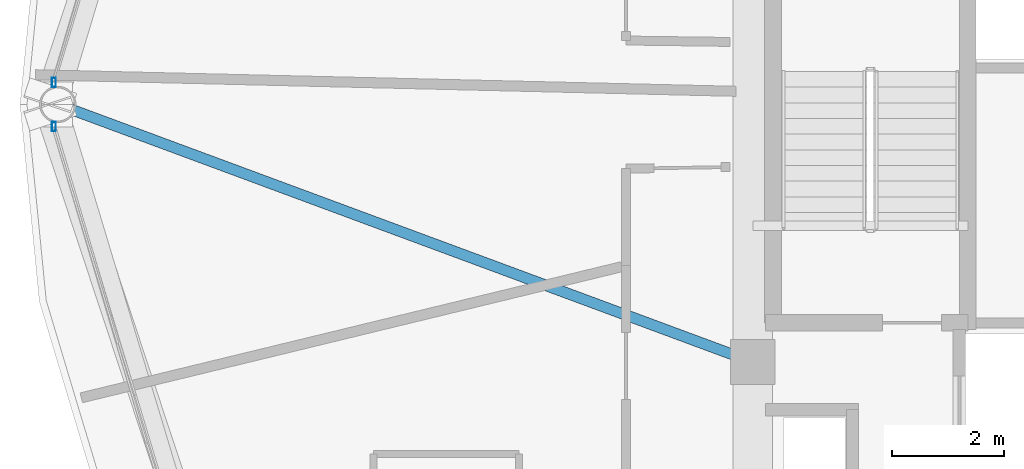
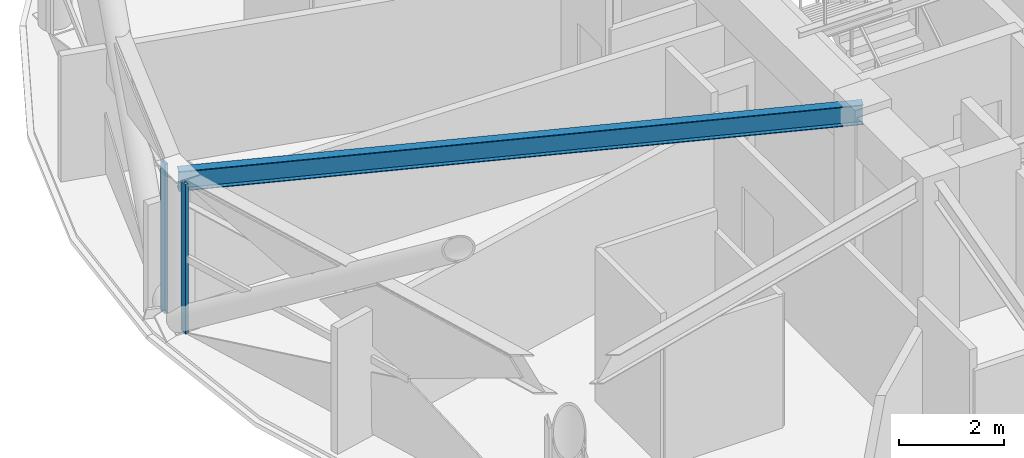
# One storey, part 7 of 29: 2 members, 1 beam, 2 elements without a shape of their own.
"""IFC4 building model written with IfcOpenShell, lengths in metres."""

import ifcopenshell
import ifcopenshell.guid

model = None  # the IFC model being written
_history = None  # IfcOwnerHistory: only IFC2X3 demands one
_inside = {}  # id of a spatial element -> (the spatial element, [elements in it])
_under = {}  # id of a project, library or spatial element -> (it, [spatial elements below it])
_declared = {}  # id of a project -> (the project, [libraries it declares])
_typed = {}  # id of a type object -> (the type object, [elements of that type])
_made_of = {}  # id of a material, layer set ... -> (it, [elements and type objects made of it])


def new_model(schema):
    """Start an empty IFC model of exactly this schema.

    Asked for "IFC4X3", IfcOpenShell would pick the latest addendum, in which some entities
    have other attributes; the version numbers below select the first issue.
    IFC2X3 requires an IfcOwnerHistory on every rooted entity: one is made here for all.
    """
    global model, _history
    if schema == "IFC4X3":
        model = ifcopenshell.file(schema_version=(4, 3, 0, 0))
    else:
        model = ifcopenshell.file(schema=schema)
    _inside.clear()
    _under.clear()
    _declared.clear()
    _typed.clear()
    _made_of.clear()
    _history = None
    if model.schema == "IFC2X3":
        org = make("IfcOrganization", Name="unknown")
        user = make(
            "IfcPersonAndOrganization",
            ThePerson=make("IfcPerson", FamilyName="unknown"),
            TheOrganization=org,
        )
        app = make(
            "IfcApplication",
            ApplicationDeveloper=org,
            Version="unknown",
            ApplicationFullName="unknown",
            ApplicationIdentifier="unknown",
        )
        _history = make(
            "IfcOwnerHistory",
            OwningUser=user,
            OwningApplication=app,
            ChangeAction="ADDED",
            CreationDate=0,
        )
    return model


def make(cls, **values):
    """One entity of the class cls with the attributes given. An attribute that is None is left unset."""
    return model.create_entity(
        cls, **{name: value for name, value in values.items() if value is not None}
    )


def rooted(cls, **values):
    """An entity with a GlobalId (a new one), such as an element, a storey or a relation."""
    return make(cls, GlobalId=ifcopenshell.guid.new(), OwnerHistory=_history, **values)


def si_unit(unit_type, name, prefix=None):
    """IfcSIUnit, for example si_unit("LENGTHUNIT", "METRE", prefix="MILLI")."""
    return make("IfcSIUnit", UnitType=unit_type, Prefix=prefix, Name=name)


def assignment(units):
    """IfcUnitAssignment: the units of a project."""
    return None if units is None else make("IfcUnitAssignment", Units=units)


def point(xyz):
    """IfcCartesianPoint."""
    return None if xyz is None else make("IfcCartesianPoint", Coordinates=xyz)


def direction(xyz):
    """IfcDirection."""
    return None if xyz is None else make("IfcDirection", DirectionRatios=xyz)


def frame(location, z_axis=None, x_axis=None):
    """IfcAxis2Placement3D, a coordinate frame: its origin and axes. An axis left out is left unset."""
    return make(
        "IfcAxis2Placement3D",
        Location=point(location),
        Axis=direction(z_axis),
        RefDirection=direction(x_axis),
    )


def frame_2d(location, x_axis=None):
    """IfcAxis2Placement2D, a coordinate frame in the plane: its origin and x axis."""
    return make(
        "IfcAxis2Placement2D", Location=point(location), RefDirection=direction(x_axis)
    )


def origin():
    """The frame at (0, 0, 0) with its axes left unset."""
    return frame((0.0, 0.0, 0.0))


def origin_2d():
    """The frame at (0, 0) in the plane with its x axis left unset."""
    return frame_2d((0.0, 0.0))


def place(relative_to, where):
    """IfcLocalPlacement: puts the frame where relative to a parent placement (None: the world)."""
    return make(
        "IfcLocalPlacement", PlacementRelTo=relative_to, RelativePlacement=where
    )


def context(
    kind, dimensions, precision=None, world=None, true_north=None, identifier=None
):
    """IfcGeometricRepresentationContext, for example the 3D "Model" context."""
    return make(
        "IfcGeometricRepresentationContext",
        ContextIdentifier=identifier,
        ContextType=kind,
        CoordinateSpaceDimension=dimensions,
        Precision=precision,
        WorldCoordinateSystem=world,
        TrueNorth=true_north,
    )


def subcontext(parent, identifier, kind, view, scale=None):
    """IfcGeometricRepresentationSubContext, for example "Body" below "Model"."""
    return make(
        "IfcGeometricRepresentationSubContext",
        ContextIdentifier=identifier,
        ContextType=kind,
        ParentContext=parent,
        TargetScale=scale,
        TargetView=view,
    )


def project(units=None, contexts=None):
    """IfcProject with its units and contexts."""
    return rooted(
        "IfcProject",
        Name="project",
        RepresentationContexts=contexts,
        UnitsInContext=assignment(units),
    )


def spatial(cls, under=None, at=None, **own):
    """A site, building, storey or space (cls), placed at a placement, below another one or the project."""
    s = rooted(cls, ObjectPlacement=at, **own)
    if under is not None:
        _under.setdefault(under.id(), (under, []))[1].append(s)
    return s


def profile(cls, at=None, kind="AREA", **sizes):
    """A parametric profile (cls). Its sizes go by their IFC names, for example OverallWidth=200.0."""
    return make(cls, ProfileType=kind, Position=at, **sizes)


def hollow_rectangle(**sizes):
    """IfcRectangleHollowProfileDef."""
    return profile("IfcRectangleHollowProfileDef", **sizes)


def i_section(**sizes):
    """IfcIShapeProfileDef."""
    return profile("IfcIShapeProfileDef", **sizes)


def extrude(swept, where, along, depth):
    """IfcExtrudedAreaSolid: the profile swept, set in the frame where, extruded along a direction by depth."""
    return make(
        "IfcExtrudedAreaSolid",
        SweptArea=swept,
        Position=where,
        ExtrudedDirection=direction(along),
        Depth=depth,
    )


def shape(context_of_items, identifier, shape_type, items):
    """IfcShapeRepresentation: the items that make up one representation, for example the "Body"."""
    return make(
        "IfcShapeRepresentation",
        ContextOfItems=context_of_items,
        RepresentationIdentifier=identifier,
        RepresentationType=shape_type,
        Items=items,
    )


def material(Name=None, Category=None):
    """IfcMaterial."""
    return make("IfcMaterial", Name=Name, Category=Category)


def layer(
    of_material, thickness, ventilated=None, Name=None, Category=None, Priority=None
):
    """IfcMaterialLayer: one layer of a wall or slab, of a material (None: an air gap)."""
    return make(
        "IfcMaterialLayer",
        Material=of_material,
        LayerThickness=thickness,
        IsVentilated=ventilated,
        Name=Name,
        Category=Category,
        Priority=Priority,
    )


def layer_set(layers, Name=None):
    """IfcMaterialLayerSet."""
    return make("IfcMaterialLayerSet", MaterialLayers=layers, LayerSetName=Name)


def material_profile(
    of_material, cross_section, Name=None, Category=None, Priority=None
):
    """IfcMaterialProfile: a cross section and its material."""
    return make(
        "IfcMaterialProfile",
        Name=Name,
        Material=of_material,
        Profile=cross_section,
        Priority=Priority,
        Category=Category,
    )


def profile_set(profiles, Name=None, composite=None):
    """IfcMaterialProfileSet."""
    return make(
        "IfcMaterialProfileSet",
        Name=Name,
        MaterialProfiles=profiles,
        CompositeProfile=composite,
    )


def made_of(thing, what):
    """Note that an element or type object is made of a material, layer set ...; save() writes the relation."""
    if what is not None:
        _made_of.setdefault(what.id(), (what, []))[1].append(thing)
    return thing


def type_object(cls, material=None, **own):
    """A type object (cls), such as IfcWallType, which elements share."""
    return made_of(rooted(cls, **own), material)


def element(
    cls,
    number,
    at=None,
    inside=None,
    cuts=None,
    type_object=None,
    material=None,
    context=None,
    identifier="Body",
    shape_type=None,
    held_by="IfcProductDefinitionShape",
    body=None,
    shapes=None,
    **own,
):
    """One element of the class cls, such as IfcWall. Its Tag is "e" and its number.

    at: its placement. inside: the storey or other place that contains it. cuts: it is an
    opening in that element (IfcRelVoidsElement). A single representation is given by context,
    identifier, shape_type and body (its items); several are given by shapes. held_by: the class
    of the entity that holds the representations. save() writes the other relations.
    """
    e = rooted(cls, Tag="e%d" % number, ObjectPlacement=at, **own)
    if body is not None:
        shapes = [shape(context, identifier, shape_type, body)]
    if shapes is not None:
        e.Representation = make(held_by, Representations=shapes)
    if inside is not None:
        _inside.setdefault(inside.id(), (inside, []))[1].append(e)
    if cuts is not None:
        rooted(
            "IfcRelVoidsElement", RelatingBuildingElement=cuts, RelatedOpeningElement=e
        )
    if type_object is not None:
        _typed.setdefault(type_object.id(), (type_object, []))[1].append(e)
    return made_of(e, material)


def aggregate(whole, parts):
    """IfcRelAggregates: a whole, such as a stair, and the parts it consists of."""
    return rooted("IfcRelAggregates", RelatingObject=whole, RelatedObjects=parts)


def save(model, path):
    """Write the relations noted so far, then the file.

    IfcRelAggregates (storeys below a building ...), IfcRelContainedInSpatialStructure (elements
    in a storey), IfcRelDefinesByType, IfcRelAssociatesMaterial and IfcRelDeclares: one each for
    every whole, place, type object, material and project.
    """
    for whole, parts in _under.values():
        aggregate(whole, parts)
    for where, things in _inside.values():
        rooted(
            "IfcRelContainedInSpatialStructure",
            RelatedElements=things,
            RelatingStructure=where,
        )
    for kind, things in _typed.values():
        rooted("IfcRelDefinesByType", RelatedObjects=things, RelatingType=kind)
    for what, things in _made_of.values():
        rooted("IfcRelAssociatesMaterial", RelatedObjects=things, RelatingMaterial=what)
    for by, libraries in _declared.values():
        rooted("IfcRelDeclares", RelatingContext=by, RelatedDefinitions=libraries)
    model.write(path)


model = new_model("IFC4")

# Units and contexts
model_context = context("Model", 3, precision=1e-05, world=origin(), true_north=direction((0.0, 1.0)))
body_context = subcontext(model_context, "Body", "Model", "MODEL_VIEW")
ifc_project = project(units=[si_unit("LENGTHUNIT", "METRE"), si_unit("AREAUNIT", "SQUARE_METRE"), si_unit("VOLUMEUNIT", "CUBIC_METRE"), si_unit("PLANEANGLEUNIT", "RADIAN"), si_unit("MASSUNIT", "GRAM", prefix="KILO")], contexts=[model_context])

# Site, building, storey
site_placement = place(None, origin())
site = spatial("IfcSite", under=ifc_project, at=site_placement, CompositionType="ELEMENT")
building_placement = place(site_placement, origin())
building = spatial("IfcBuilding", under=site, at=building_placement, Name="Vantalir Tower", CompositionType="ELEMENT")
storey_placement = place(building_placement, frame((0.0, 0.0, 227.39990234375)))
storey = spatial("IfcBuildingStorey", under=building, at=storey_placement, Name="L57", CompositionType="ELEMENT", Elevation=227.39990234375)

# Beam
ifc_material_1 = material(Name="Steel S355", Category="steel")
ifc_material_profile_1 = material_profile(ifc_material_1, i_section(OverallWidth=0.19189453125, OverallDepth=0.462890625, WebThickness=0.010498046875, FlangeThickness=0.017578125, at=origin_2d()), Name="Steel S355")
ifc_profile_set_1 = profile_set([ifc_material_profile_1], Name="Steel S355")
beam_type = type_object("IfcBeamType", Name="BM-RB-457x191", PredefinedType="BEAM", material=ifc_profile_set_1)
beam_placement = place(storey_placement, frame((9.487060546875, 25.0, 3.338134765625), z_axis=(0.937681112374, -0.34749695178, 0.0), x_axis=(0.34749695178, 0.937681112374, 0.0)))
element("IfcBeam", 1, at=beam_placement, inside=storey, type_object=beam_type, Name="L57 Radial Floor Beam 07", PredefinedType="BEAM", context=body_context, shape_type="SweptSolid", body=[
    extrude(i_section(OverallWidth=0.19189453125, OverallDepth=0.462890625, WebThickness=0.010498046875, FlangeThickness=0.017578125, at=origin_2d()), origin(), (0.0, 0.0, 1.0), 13.23779296875),
])

# Curtain wall, member
ifc_material_2 = material(Name="Champagne-silver PVDF aluminium and double-silver Low-E glass", Category="aluminium")
ifc_layer = layer(ifc_material_2, 0.2099609375)
ifc_layer_set = layer_set([ifc_layer], Name="Champagne-silver PVDF aluminium and double-silver Low-E glass")
curtain_wall_type = type_object("IfcCurtainWallType", Name="CW-DIAMOND-Z3", PredefinedType="USERDEFINED", material=ifc_layer_set)
curtain_wall_1_placement = place(storey_placement, origin())
curtain_wall_1 = element("IfcCurtainWall", 2, at=curtain_wall_1_placement, inside=storey, type_object=curtain_wall_type, Name="L57 Quilted Pyramid-Diamond Curtain Wall S06", ObjectType="UNITISED CURTAIN WALL", PredefinedType="USERDEFINED")
ifc_material_3 = material(Name="Champagne-silver PVDF aluminium 6063-T6", Category="aluminium")
ifc_material_profile_2 = material_profile(ifc_material_3, hollow_rectangle(XDim=0.070068359375, YDim=0.1650390625, WallThickness=0.00390625, at=origin_2d()), Name="Champagne-silver PVDF aluminium 6063-T6")
ifc_profile_set_2 = profile_set([ifc_material_profile_2], Name="Champagne-silver PVDF aluminium 6063-T6")
member_type = type_object("IfcMemberType", Name="CWM-165x70", PredefinedType="MULLION", material=ifc_profile_set_2)
member_1_placement = place(storey_placement, frame((9.4150390625, 25.39306640625, 0.045166015625), z_axis=(0.0, 0.0, 1.0), x_axis=(1.0, 0.0, 0.0)))
member_1 = element("IfcMember", 3, at=member_1_placement, type_object=member_type, Name="CW-L57-S06 Mullion 2", PredefinedType="MULLION", context=body_context, shape_type="SweptSolid", body=[
    extrude(hollow_rectangle(XDim=0.070068359375, YDim=0.1650390625, WallThickness=0.00390625, at=origin_2d()), origin(), (0.0, 0.0, 1.0), 3.47998046875),
])
aggregate(curtain_wall_1, [member_1])

curtain_wall_2_placement = place(storey_placement, origin())
curtain_wall_2 = element("IfcCurtainWall", 4, at=curtain_wall_2_placement, inside=storey, type_object=curtain_wall_type, Name="L57 Quilted Pyramid-Diamond Curtain Wall S07", ObjectType="UNITISED CURTAIN WALL", PredefinedType="USERDEFINED")
member_2_placement = place(storey_placement, frame((9.4150390625, 24.60693359375, 0.045166015625), z_axis=(0.0, 0.0, 1.0), x_axis=(1.0, 0.0, 0.0)))
member_2 = element("IfcMember", 5, at=member_2_placement, type_object=member_type, Name="CW-L57-S07 Mullion 1", PredefinedType="MULLION", context=body_context, shape_type="SweptSolid", body=[
    extrude(hollow_rectangle(XDim=0.070068359375, YDim=0.1650390625, WallThickness=0.00390625, at=origin_2d()), origin(), (0.0, 0.0, 1.0), 3.47998046875),
])
aggregate(curtain_wall_2, [member_2])

save(model, "model.ifc")
